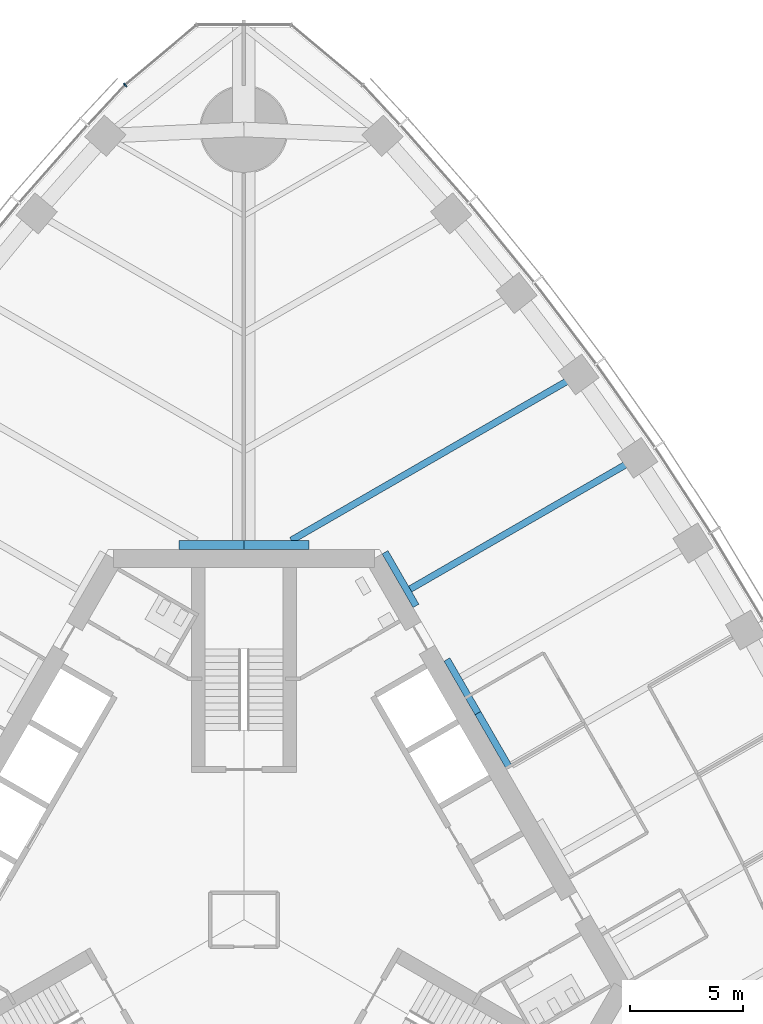
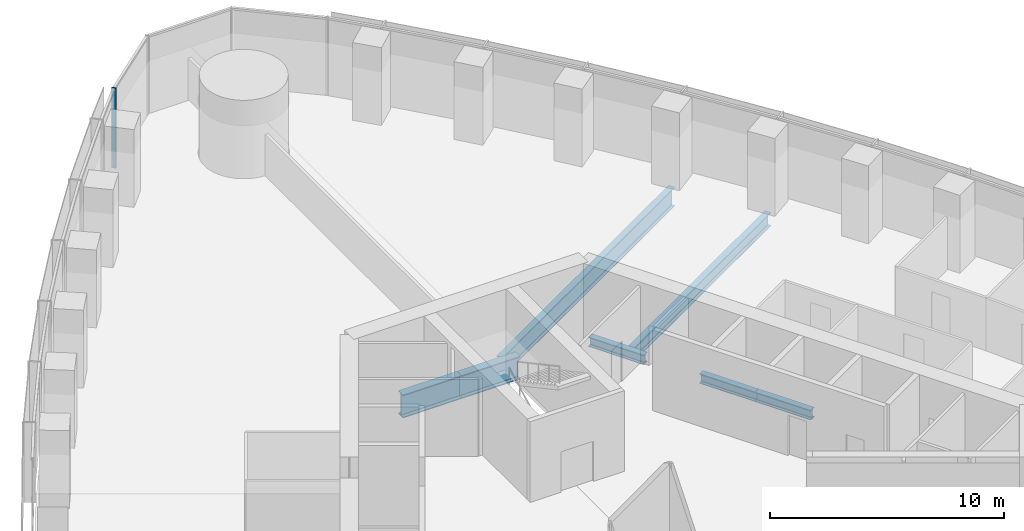
# One storey, part 5 of 19: 7 beams, 1 member, 1 element without a shape of its own.
"""IFC4 building model written with IfcOpenShell, lengths in metres."""

from ifc_helpers import new_model, si_unit, direction, frame, origin, origin_2d, place, context, subcontext, project, spatial, rectangle, i_section, extrude, material, material_profile, profile_set, type_object, element, aggregate, save


model = new_model("IFC4")

# Units and contexts
model_context = context("Model", 3, precision=1e-05, world=origin(), true_north=direction((0.0, 1.0)))
body_context = subcontext(model_context, "Body", "Model", "MODEL_VIEW")
ifc_project = project(units=[si_unit("LENGTHUNIT", "METRE"), si_unit("AREAUNIT", "SQUARE_METRE"), si_unit("VOLUMEUNIT", "CUBIC_METRE"), si_unit("PLANEANGLEUNIT", "RADIAN"), si_unit("MASSUNIT", "GRAM", prefix="KILO")], contexts=[model_context])

# Site, building, storey
site_placement = place(None, origin())
site = spatial("IfcSite", under=ifc_project, at=site_placement, CompositionType="ELEMENT")
building_placement = place(site_placement, origin())
building = spatial("IfcBuilding", under=site, at=building_placement, Name="Trefoil Bronze Tower", CompositionType="ELEMENT")
storey_placement = place(building_placement, frame((0.0, 0.0, 124.10009765625)))
storey = spatial("IfcBuildingStorey", under=building, at=storey_placement, Name="L28", CompositionType="ELEMENT", Elevation=124.10009765625)

# Curtain wall, member
ifc_material_1 = material(Name="Tinted solar-control glass", Category="glass")
curtain_wall_type = type_object("IfcCurtainWallType", Name="Bronze rounded corner curtain wall", PredefinedType="USERDEFINED", material=ifc_material_1)
curtain_wall_placement = place(storey_placement, origin())
curtain_wall = element("IfcCurtainWall", 1, at=curtain_wall_placement, inside=storey, type_object=curtain_wall_type, Name="CW-B L28 K2", ObjectType="CURTAIN WALL", PredefinedType="USERDEFINED")
ifc_material_2 = material(Name="Bronze-finish aluminium", Category="aluminium")
ifc_material_profile_1 = material_profile(ifc_material_2, rectangle(XDim=0.199951171875, YDim=0.06005859375, at=origin_2d()), Name="CW-B mullion")
ifc_profile_set_1 = profile_set([ifc_material_profile_1], Name="Bronze-finish aluminium")
member_type = type_object("IfcMemberType", Name="Bronze rounded corner curtain wall mullion", PredefinedType="MULLION", material=ifc_profile_set_1)
member_placement = place(storey_placement, frame((-5.260498046875, 36.975830078125, 0.0), z_axis=(0.0, 0.0, 1.0), x_axis=(0.642787609687, -0.766044443119, 0.0)))
member = element("IfcMember", 2, at=member_placement, type_object=member_type, Name="CW-B L28 K2 mullion 4", PredefinedType="MULLION", context=body_context, shape_type="SweptSolid", body=[
    extrude(rectangle(XDim=0.199951171875, YDim=0.06005859375, at=origin_2d()), origin(), (0.0, 0.0, 1.0), 4.179931640625),
])
aggregate(curtain_wall, [member])

# Beams
ifc_material_3 = material(Name="Steel C355", Category="steel")
ifc_material_profile_2 = material_profile(ifc_material_3, i_section(OverallWidth=0.300048828125, OverallDepth=0.5, WebThickness=0.014404296875, FlangeThickness=0.028076171875, FilletRadius=0.027099609375, at=origin_2d()), Name="HEB 500")
ifc_profile_set_2 = profile_set([ifc_material_profile_2], Name="Steel C355")
beam_type_1 = type_object("IfcBeamType", Name="Core seat beam HEB 500", PredefinedType="BEAM", material=ifc_profile_set_2)
for number, where, z_axis, x_axis, name in (
    (3, (11.734619140625, 6.77490234375, -0.4501953125), (-0.499969057507, 0.866043267704, 0.0), (-0.866043267704, -0.499969057507, 0.0), "Core seat beam F2/+0 L28"),
    (4, (10.363525390625, 9.14990234375, -0.4501953125), (-0.500035825175, 0.866004719122, 0.0), (-0.866004719122, -0.500035825175, 0.0), "Core seat beam F2/+1 L28"),
    (5, (7.62109375, 13.89990234375, -0.4501953125), (-0.500035825175, 0.866004719122, 0.0), (-0.866004719122, -0.500035825175, 0.0), "Core seat beam F2/+2 L28"),
):
    element("IfcBeam", number, at=place(storey_placement, frame(where, z_axis=z_axis, x_axis=x_axis)), inside=storey, type_object=beam_type_1, Name=name, PredefinedType="BEAM", context=body_context, shape_type="SweptSolid", body=[
        extrude(i_section(OverallWidth=0.300048828125, OverallDepth=0.5, WebThickness=0.014404296875, FlangeThickness=0.028076171875, FilletRadius=0.027099609375, at=origin_2d()), origin(), (0.0, 0.0, 1.0), 2.742431640625),
    ])
ifc_material_4 = material(Name="Steel C355", Category="steel")
ifc_material_profile_3 = material_profile(ifc_material_4, i_section(OverallWidth=0.39990234375, OverallDepth=1.199951171875, WebThickness=0.02001953125, FlangeThickness=0.0400390625, FilletRadius=0.010009765625, at=origin_2d()), Name="WPG 1200")
ifc_profile_set_3 = profile_set([ifc_material_profile_3], Name="Steel C355")
beam_type_2 = type_object("IfcBeamType", Name="Core seat beam WPG 1200", PredefinedType="BEAM", material=ifc_profile_set_3)
for number, where, z_axis, x_axis, name in (
    (6, (2.88671875, 16.60009765625, -0.800048828125), (-1.0, 0.0, 0.0), (0.0, -1.0, 0.0), "Core seat beam F2/+3 L28"),
    (7, (0.0, 16.60009765625, -0.800048828125), (-1.0, 0.0, 0.0), (0.0, -1.0, 0.0), "Core seat beam F3/-3 L28"),
):
    element("IfcBeam", number, at=place(storey_placement, frame(where, z_axis=z_axis, x_axis=x_axis)), inside=storey, type_object=beam_type_2, Name=name, PredefinedType="BEAM", context=body_context, shape_type="SweptSolid", body=[
        extrude(i_section(OverallWidth=0.39990234375, OverallDepth=1.199951171875, WebThickness=0.02001953125, FlangeThickness=0.0400390625, FilletRadius=0.010009765625, at=origin_2d()), origin(), (0.0, 0.0, 1.0), 2.88671875),
    ])
ifc_material_5 = material(Name="Steel C355", Category="steel")
ifc_material_profile_4 = material_profile(ifc_material_5, i_section(OverallWidth=0.300048828125, OverallDepth=1.0, WebThickness=0.01904296875, FlangeThickness=0.035888671875, FilletRadius=0.030029296875, at=origin_2d()), Name="HEB 1000")
ifc_profile_set_4 = profile_set([ifc_material_profile_4], Name="Steel C355")
beam_type_3 = type_object("IfcBeamType", Name="Floor beam HEB 1000", PredefinedType="BEAM", material=ifc_profile_set_4)
beam_1_placement = place(storey_placement, frame((14.825439453125, 24.14794921875, -0.7001953125), z_axis=(-0.866027342682, -0.499996641717, 0.0), x_axis=(0.499996641717, -0.866027342682, 0.0)))
element("IfcBeam", 8, at=beam_1_placement, inside=storey, type_object=beam_type_3, Name="Floor beam F2/+3 L28", PredefinedType="BEAM", context=body_context, shape_type="SweptSolid", body=[
    extrude(i_section(OverallWidth=0.300048828125, OverallDepth=1.0, WebThickness=0.01904296875, FlangeThickness=0.035888671875, FilletRadius=0.030029296875, at=origin_2d()), origin(), (0.0, 0.0, 1.0), 14.69580078125),
])
ifc_material_6 = material(Name="Steel C355", Category="steel")
ifc_material_profile_5 = material_profile(ifc_material_6, i_section(OverallWidth=0.300048828125, OverallDepth=0.699951171875, WebThickness=0.01708984375, FlangeThickness=0.031982421875, FilletRadius=0.027099609375, at=origin_2d()), Name="HEB 700")
ifc_profile_set_5 = profile_set([ifc_material_profile_5], Name="Steel C355")
beam_type_4 = type_object("IfcBeamType", Name="Floor beam HEB 700", PredefinedType="BEAM", material=ifc_profile_set_5)
beam_2_placement = place(storey_placement, frame((17.43017578125, 20.45556640625, -0.550048828125), z_axis=(-0.866030626868, -0.499990953245, 0.0), x_axis=(0.499990953245, -0.866030626868, 0.0)))
element("IfcBeam", 9, at=beam_2_placement, inside=storey, type_object=beam_type_4, Name="Floor beam F2/+2 L28", PredefinedType="BEAM", context=body_context, shape_type="SweptSolid", body=[
    extrude(i_section(OverallWidth=0.300048828125, OverallDepth=0.699951171875, WebThickness=0.01708984375, FlangeThickness=0.031982421875, FilletRadius=0.027099609375, at=origin_2d()), origin(), (0.0, 0.0, 1.0), 11.622802734375),
])

save(model, "model.ifc")
